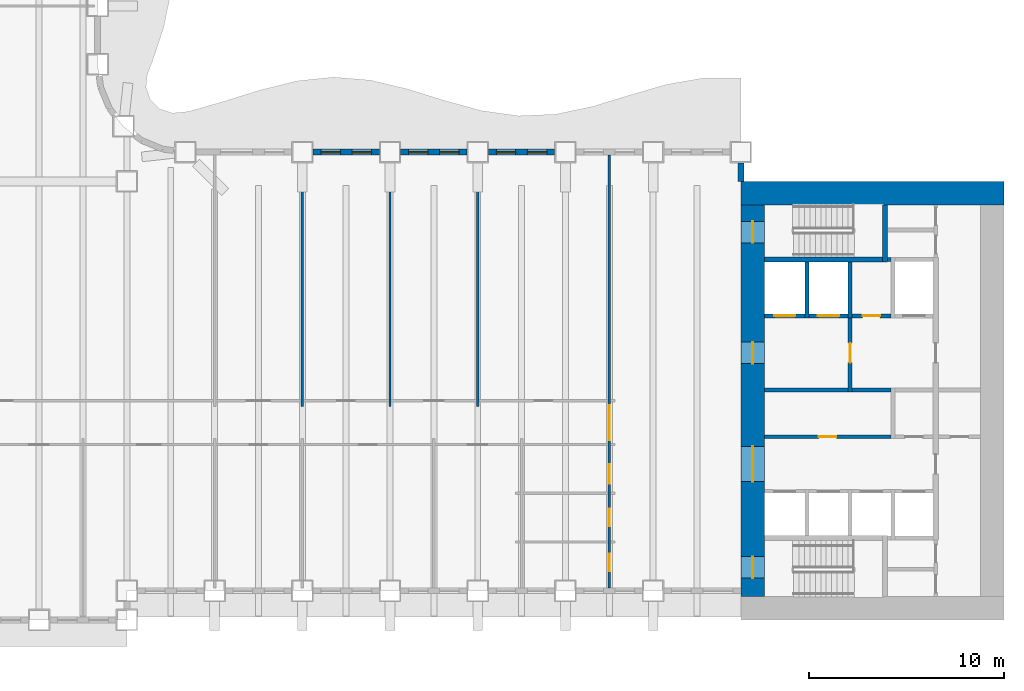
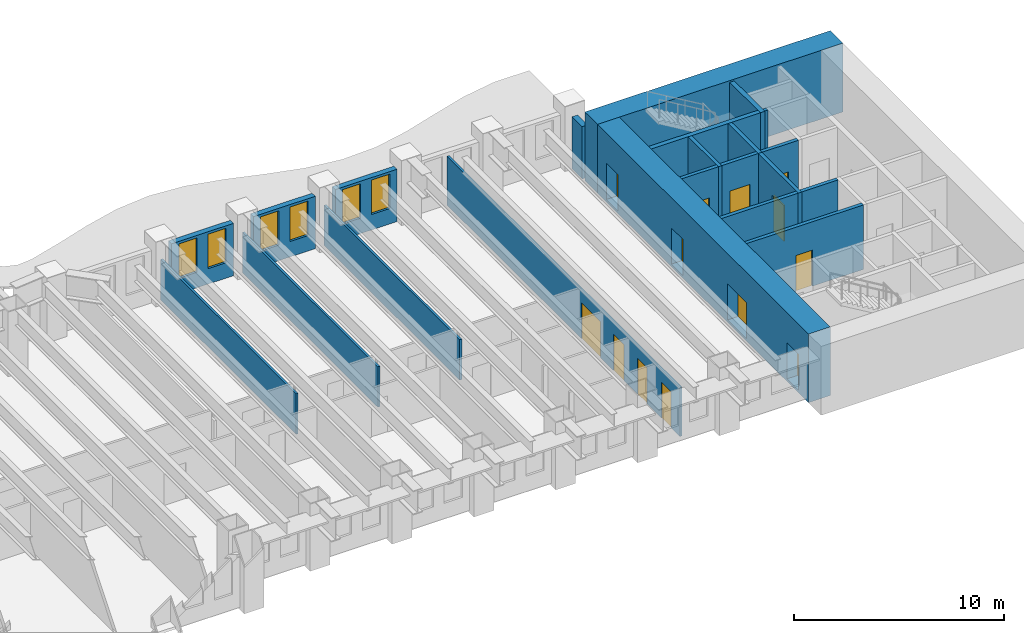
# One storey, part 6 of 16: 22 walls, 13 doors, 6 windows, 19 openings.
"""IFC4 building model written with IfcOpenShell, lengths in metres."""

from ifc_helpers import new_model, si_unit, direction, frame, frame_2d, origin, place, context, subcontext, project, spatial, rectangle, extrude, material, layer, layer_set, type_object, element, fill, save


model = new_model("IFC4")

# Units and contexts
model_context = context("Model", 3, precision=1e-05, world=origin(), true_north=direction((0.0, 1.0)))
body_context = subcontext(model_context, "Body", "Model", "MODEL_VIEW")
ifc_project = project(units=[si_unit("LENGTHUNIT", "METRE"), si_unit("AREAUNIT", "SQUARE_METRE"), si_unit("VOLUMEUNIT", "CUBIC_METRE"), si_unit("PLANEANGLEUNIT", "RADIAN"), si_unit("MASSUNIT", "GRAM", prefix="KILO")], contexts=[model_context])

# Site, building, storey
site_placement = place(None, origin())
site = spatial("IfcSite", under=ifc_project, at=site_placement, CompositionType="ELEMENT")
building_placement = place(site_placement, origin())
building = spatial("IfcBuilding", under=site, at=building_placement, Name="Sennacour Bend Tower", CompositionType="ELEMENT")
storey_placement = place(building_placement, frame((0.0, 0.0, 73.0)))
storey = spatial("IfcBuildingStorey", under=building, at=storey_placement, Name="L16", CompositionType="ELEMENT", Elevation=73.0)

# Wall
ifc_material_1 = material(Name="Concrete C80/95", Category="concrete")
ifc_layer_1 = layer(ifc_material_1, 1.199951171875, Name="Concrete C80/95", Category="concrete")
ifc_layer_set_1 = layer_set([ifc_layer_1], Name="Concrete C80/95")
wall_type_1 = type_object("IfcWallType", Name="Core wall 1200 C80/95", PredefinedType="SHEAR", material=ifc_layer_set_1)
wall_1_placement = place(storey_placement, frame((54.0, 21.89990234375, -0.14990234375), z_axis=(0.0, 0.0, 1.0), x_axis=(1.0, 0.0, 0.0)))
element("IfcWall", 1, at=wall_1_placement, inside=storey, type_object=wall_type_1, Name="Core A wall L16 N", PredefinedType="SHEAR", context=body_context, shape_type="SweptSolid", body=[
    extrude(rectangle(XDim=13.5, YDim=1.199951171875, at=frame_2d((6.75, 0.0))), origin(), (0.0, 0.0, 1.0), 4.0),
])

# Wall, openings, doors
wall_2_placement = place(storey_placement, frame((54.60009765625, 1.199951171875, -0.14990234375), z_axis=(0.0, 0.0, 1.0), x_axis=(0.0, 1.0, 0.0)))
wall_2 = element("IfcWall", 2, at=wall_2_placement, inside=storey, type_object=wall_type_1, Name="Core A wall L16 W", PredefinedType="SHEAR", context=body_context, shape_type="SweptSolid", body=[
    extrude(rectangle(XDim=20.10009765625, YDim=1.199951171875, at=frame_2d((10.050048828125, 0.0))), origin(), (0.0, 0.0, 1.0), 4.0),
])
opening_1_placement = place(wall_2_placement, frame((5.89990234375, 0.0, 0.14990234375)))
opening_1 = element("IfcOpeningElement", 3, at=opening_1_placement, cuts=wall_2, Name="Opening CD", PredefinedType="OPENING", context=body_context, shape_type="SweptSolid", body=[
    extrude(rectangle(XDim=1.800048828125, YDim=2.10009765625, at=frame_2d((0.89990234375, 1.050048828125))), frame((0.0, 0.60986328125, 0.0), z_axis=(0.0, -1.0, 0.0), x_axis=(1.0, 0.0, 0.0)), (0.0, 0.0, 1.0), 1.219970703125),
])
opening_2_placement = place(wall_2_placement, frame((11.949951171875, 0.0, 0.14990234375)))
opening_2 = element("IfcOpeningElement", 4, at=opening_2_placement, cuts=wall_2, Name="Opening FD", PredefinedType="OPENING", context=body_context, shape_type="SweptSolid", body=[
    extrude(rectangle(XDim=1.10009765625, YDim=2.10009765625, at=frame_2d((0.550048828125, 1.050048828125))), frame((0.0, 0.60986328125, 0.0), z_axis=(0.0, -1.0, 0.0), x_axis=(1.0, 0.0, 0.0)), (0.0, 0.0, 1.0), 1.219970703125),
])
opening_3_placement = place(wall_2_placement, frame((0.949951171875, 0.0, 0.14990234375)))
opening_3 = element("IfcOpeningElement", 5, at=opening_3_placement, cuts=wall_2, Name="Opening SD", PredefinedType="OPENING", context=body_context, shape_type="SweptSolid", body=[
    extrude(rectangle(XDim=1.10009765625, YDim=2.10009765625, at=frame_2d((0.550048828125, 1.050048828125))), frame((0.0, 0.60986328125, 0.0), z_axis=(0.0, -1.0, 0.0), x_axis=(1.0, 0.0, 0.0)), (0.0, 0.0, 1.0), 1.219970703125),
])
opening_4_placement = place(wall_2_placement, frame((18.14990234375, 0.0, 0.14990234375)))
opening_4 = element("IfcOpeningElement", 6, at=opening_4_placement, cuts=wall_2, Name="Opening SD", PredefinedType="OPENING", context=body_context, shape_type="SweptSolid", body=[
    extrude(rectangle(XDim=1.10009765625, YDim=2.10009765625, at=frame_2d((0.550048828125, 1.050048828125))), frame((0.0, 0.60986328125, 0.0), z_axis=(0.0, -1.0, 0.0), x_axis=(1.0, 0.0, 0.0)), (0.0, 0.0, 1.0), 1.219970703125),
])
ifc_material_2 = material(Name="Painted steel", Category="steel")
door_type_1 = type_object("IfcDoorType", Name="DR-FFL-1100", OperationType="NOTDEFINED", PredefinedType="DOOR", material=ifc_material_2)
door_1_placement = place(opening_2_placement, origin())
door_1 = element("IfcDoor", 7, at=door_1_placement, inside=storey, type_object=door_type_1, Name="Door", OperationType="SINGLE_SWING_RIGHT", OverallHeight=2.10009765625, OverallWidth=1.10009765625, PredefinedType="DOOR", context=body_context, shape_type="SweptSolid", body=[
    extrude(rectangle(XDim=1.10009765625, YDim=2.10009765625, at=frame_2d((0.550048828125, 1.050048828125))), frame((0.0, 0.02490234375, 0.0), z_axis=(0.0, -1.0, 0.0), x_axis=(1.0, 0.0, 0.0)), (0.0, 0.0, 1.0), 0.050048828125),
])
fill(opening_2, door_1)
door_type_2 = type_object("IfcDoorType", Name="DR-LOBBY-1800", OperationType="NOTDEFINED", PredefinedType="DOOR", material=ifc_material_2)
door_2_placement = place(opening_1_placement, origin())
door_2 = element("IfcDoor", 8, at=door_2_placement, inside=storey, type_object=door_type_2, Name="Door", OperationType="DOUBLE_DOOR_SINGLE_SWING", OverallHeight=2.10009765625, OverallWidth=1.800048828125, PredefinedType="DOOR", context=body_context, shape_type="SweptSolid", body=[
    extrude(rectangle(XDim=1.800048828125, YDim=2.10009765625, at=frame_2d((0.89990234375, 1.050048828125))), frame((0.0, 0.02490234375, 0.0), z_axis=(0.0, -1.0, 0.0), x_axis=(1.0, 0.0, 0.0)), (0.0, 0.0, 1.0), 0.050048828125),
])
fill(opening_1, door_2)
door_type_3 = type_object("IfcDoorType", Name="DR-STAIR-1100", OperationType="NOTDEFINED", PredefinedType="DOOR", material=ifc_material_2)
door_3_placement = place(opening_3_placement, origin())
door_3 = element("IfcDoor", 9, at=door_3_placement, inside=storey, type_object=door_type_3, Name="Door", OperationType="SINGLE_SWING_LEFT", OverallHeight=2.10009765625, OverallWidth=1.10009765625, PredefinedType="DOOR", context=body_context, shape_type="SweptSolid", body=[
    extrude(rectangle(XDim=1.10009765625, YDim=2.10009765625, at=frame_2d((0.550048828125, 1.050048828125))), frame((0.0, 0.02490234375, 0.0), z_axis=(0.0, -1.0, 0.0), x_axis=(1.0, 0.0, 0.0)), (0.0, 0.0, 1.0), 0.050048828125),
])
fill(opening_3, door_3)
door_4_placement = place(opening_4_placement, origin())
door_4 = element("IfcDoor", 10, at=door_4_placement, inside=storey, type_object=door_type_3, Name="Door", OperationType="SINGLE_SWING_RIGHT", OverallHeight=2.10009765625, OverallWidth=1.10009765625, PredefinedType="DOOR", context=body_context, shape_type="SweptSolid", body=[
    extrude(rectangle(XDim=1.10009765625, YDim=2.10009765625, at=frame_2d((0.550048828125, 1.050048828125))), frame((0.0, 0.02490234375, 0.0), z_axis=(0.0, -1.0, 0.0), x_axis=(1.0, 0.0, 0.0)), (0.0, 0.0, 1.0), 0.050048828125),
])
fill(opening_4, door_4)

# Walls
ifc_material_3 = material(Name="Plasterboard partition on steel studs", Category="steel")
ifc_layer_2 = layer(ifc_material_3, 0.1201171875, Name="Plasterboard partition on steel studs", Category="steel")
ifc_layer_set_2 = layer_set([ifc_layer_2], Name="Plasterboard partition on steel studs")
wall_type_2 = type_object("IfcWallType", Name="Partition 120", PredefinedType="PARTITIONING", material=ifc_layer_set_2)
for number, where, z_axis, x_axis, name in (
    (11, (31.5, 10.949951171875, 0.0), (0.0, 0.0, 1.0), (0.0, 1.0, 0.0), "P-L16-W029a"),
    (12, (36.0, 10.949951171875, 0.0), (0.0, 0.0, 1.0), (0.0, 1.0, 0.0), "P-L16-W030a"),
    (13, (40.5, 10.949951171875, 0.0), (0.0, 0.0, 1.0), (0.0, 1.0, 0.0), "P-L16-W032a"),
):
    element("IfcWall", number, at=place(storey_placement, frame(where, z_axis=z_axis, x_axis=x_axis)), inside=storey, type_object=wall_type_2, Name=name, PredefinedType="PARTITIONING", context=body_context, shape_type="SweptSolid", body=[
        extrude(rectangle(XDim=12.900146484375, YDim=0.1201171875, at=frame_2d((6.4501953125, 0.0))), origin(), (0.0, 0.0, 1.0), 2.35009765625),
    ])

# Wall, openings, doors
ifc_layer_3 = layer(ifc_material_3, 0.1201171875, Name="Plasterboard partition on steel studs", Category="steel")
ifc_layer_set_3 = layer_set([ifc_layer_3], Name="Plasterboard partition on steel studs")
wall_type_3 = type_object("IfcWallType", Name="Partition 120 EI 30", PredefinedType="PARTITIONING", material=ifc_layer_set_3)
wall_3_placement = place(storey_placement, frame((47.25, 1.64990234375, 0.0), z_axis=(0.0, 0.0, 1.0), x_axis=(0.0, 1.0, 0.0)))
wall_3 = element("IfcWall", 14, at=wall_3_placement, inside=storey, type_object=wall_type_3, Name="P-L16-W034a", PredefinedType="PARTITIONING", context=body_context, shape_type="SweptSolid", body=[
    extrude(rectangle(XDim=22.2001953125, YDim=0.1201171875, at=frame_2d((11.10009765625, 0.0))), origin(), (0.0, 0.0, 1.0), 2.837890625),
])
opening_5_placement = place(wall_3_placement, frame((7.5751953125, 0.0, 0.0)))
opening_5 = element("IfcOpeningElement", 15, at=opening_5_placement, cuts=wall_3, Name="Opening KD3", PredefinedType="OPENING", context=body_context, shape_type="SweptSolid", body=[
    extrude(rectangle(XDim=1.800048828125, YDim=2.10009765625, at=frame_2d((0.89990234375, 1.050048828125))), frame((0.0, 0.070068359375, 0.0), z_axis=(0.0, -1.0, 0.0), x_axis=(1.0, 0.0, 0.0)), (0.0, 0.0, 1.0), 0.14013671875),
])
opening_6_placement = place(wall_3_placement, frame((0.85009765625, 0.0, 0.0)))
opening_6 = element("IfcOpeningElement", 16, at=opening_6_placement, cuts=wall_3, Name="Opening WD", PredefinedType="OPENING", context=body_context, shape_type="SweptSolid", body=[
    extrude(rectangle(XDim=0.89990234375, YDim=2.10009765625, at=frame_2d((0.449951171875, 1.050048828125))), frame((0.0, 0.070068359375, 0.0), z_axis=(0.0, -1.0, 0.0), x_axis=(1.0, 0.0, 0.0)), (0.0, 0.0, 1.0), 0.14013671875),
])
opening_7_placement = place(wall_3_placement, frame((3.150146484375, 0.0, 0.0)))
opening_7 = element("IfcOpeningElement", 17, at=opening_7_placement, cuts=wall_3, Name="Opening WD", PredefinedType="OPENING", context=body_context, shape_type="SweptSolid", body=[
    extrude(rectangle(XDim=0.89990234375, YDim=2.10009765625, at=frame_2d((0.449951171875, 1.050048828125))), frame((0.0, 0.070068359375, 0.0), z_axis=(0.0, -1.0, 0.0), x_axis=(1.0, 0.0, 0.0)), (0.0, 0.0, 1.0), 0.14013671875),
])
opening_8_placement = place(wall_3_placement, frame((5.35009765625, 0.0, 0.0)))
opening_8 = element("IfcOpeningElement", 18, at=opening_8_placement, cuts=wall_3, Name="Opening AD", PredefinedType="OPENING", context=body_context, shape_type="SweptSolid", body=[
    extrude(rectangle(XDim=1.0, YDim=2.10009765625, at=frame_2d((0.5, 1.050048828125))), frame((0.0, 0.070068359375, 0.0), z_axis=(0.0, -1.0, 0.0), x_axis=(1.0, 0.0, 0.0)), (0.0, 0.0, 1.0), 0.14013671875),
])
ifc_material_4 = material(Name="Timber", Category="wood")
door_type_4 = type_object("IfcDoorType", Name="DR-ACC-WC-1000", OperationType="NOTDEFINED", PredefinedType="DOOR", material=ifc_material_4)
door_5_placement = place(opening_8_placement, origin())
door_5 = element("IfcDoor", 19, at=door_5_placement, inside=storey, type_object=door_type_4, Name="Door", OperationType="SINGLE_SWING_LEFT", OverallHeight=2.10009765625, OverallWidth=1.0, PredefinedType="DOOR", context=body_context, shape_type="SweptSolid", body=[
    extrude(rectangle(XDim=1.0, YDim=2.10009765625, at=frame_2d((0.5, 1.050048828125))), frame((0.0, 0.02490234375, 0.0), z_axis=(0.0, -1.0, 0.0), x_axis=(1.0, 0.0, 0.0)), (0.0, 0.0, 1.0), 0.050048828125),
])
fill(opening_8, door_5)
door_type_5 = type_object("IfcDoorType", Name="DR-CORRIDOR-1800", OperationType="NOTDEFINED", PredefinedType="DOOR", material=ifc_material_2)
door_6_placement = place(opening_5_placement, origin())
door_6 = element("IfcDoor", 20, at=door_6_placement, inside=storey, type_object=door_type_5, Name="Door", OperationType="DOUBLE_DOOR_SINGLE_SWING", OverallHeight=2.10009765625, OverallWidth=1.800048828125, PredefinedType="DOOR", context=body_context, shape_type="SweptSolid", body=[
    extrude(rectangle(XDim=1.800048828125, YDim=2.10009765625, at=frame_2d((0.89990234375, 1.050048828125))), frame((0.0, 0.02490234375, 0.0), z_axis=(0.0, -1.0, 0.0), x_axis=(1.0, 0.0, 0.0)), (0.0, 0.0, 1.0), 0.050048828125),
])
fill(opening_5, door_6)
door_type_6 = type_object("IfcDoorType", Name="DR-WC-900", OperationType="NOTDEFINED", PredefinedType="DOOR", material=ifc_material_4)
door_7_placement = place(opening_6_placement, origin())
door_7 = element("IfcDoor", 21, at=door_7_placement, inside=storey, type_object=door_type_6, Name="Door", OperationType="SINGLE_SWING_LEFT", OverallHeight=2.10009765625, OverallWidth=0.89990234375, PredefinedType="DOOR", context=body_context, shape_type="SweptSolid", body=[
    extrude(rectangle(XDim=0.89990234375, YDim=2.10009765625, at=frame_2d((0.449951171875, 1.050048828125))), frame((0.0, 0.02490234375, 0.0), z_axis=(0.0, -1.0, 0.0), x_axis=(1.0, 0.0, 0.0)), (0.0, 0.0, 1.0), 0.050048828125),
])
fill(opening_6, door_7)
door_8_placement = place(opening_7_placement, origin())
door_8 = element("IfcDoor", 22, at=door_8_placement, inside=storey, type_object=door_type_6, Name="Door", OperationType="SINGLE_SWING_LEFT", OverallHeight=2.10009765625, OverallWidth=0.89990234375, PredefinedType="DOOR", context=body_context, shape_type="SweptSolid", body=[
    extrude(rectangle(XDim=0.89990234375, YDim=2.10009765625, at=frame_2d((0.449951171875, 1.050048828125))), frame((0.0, 0.02490234375, 0.0), z_axis=(0.0, -1.0, 0.0), x_axis=(1.0, 0.0, 0.0)), (0.0, 0.0, 1.0), 0.050048828125),
])
fill(opening_7, door_8)

# Wall, opening, door
ifc_material_5 = material(Name="Fire-rated plasterboard partition on steel studs", Category="steel")
ifc_layer_4 = layer(ifc_material_5, 0.199951171875, Name="Fire-rated plasterboard partition on steel studs", Category="steel")
ifc_layer_set_4 = layer_set([ifc_layer_4], Name="Fire-rated plasterboard partition on steel studs")
wall_type_4 = type_object("IfcWallType", Name="Rated partition 200", PredefinedType="PARTITIONING", material=ifc_layer_set_4)
wall_4_placement = place(storey_placement, frame((55.199951171875, 9.39990234375, 0.0), z_axis=(0.0, 0.0, 1.0), x_axis=(1.0, 0.0, 0.0)))
wall_4 = element("IfcWall", 23, at=wall_4_placement, inside=storey, type_object=wall_type_4, Name="P-L16-W062a", PredefinedType="PARTITIONING", context=body_context, shape_type="SweptSolid", body=[
    extrude(rectangle(XDim=6.5, YDim=0.199951171875, at=frame_2d((3.25, 0.0))), origin(), (0.0, 0.0, 1.0), 3.75),
])
opening_9_placement = place(wall_4_placement, frame((2.800048828125, 0.0, 0.0)))
opening_9 = element("IfcOpeningElement", 24, at=opening_9_placement, cuts=wall_4, Name="Opening SV", PredefinedType="OPENING", context=body_context, shape_type="SweptSolid", body=[
    extrude(rectangle(XDim=0.89990234375, YDim=2.10009765625, at=frame_2d((0.449951171875, 1.050048828125))), frame((0.0, 0.10986328125, 0.0), z_axis=(0.0, -1.0, 0.0), x_axis=(1.0, 0.0, 0.0)), (0.0, 0.0, 1.0), 0.219970703125),
])
door_type_7 = type_object("IfcDoorType", Name="DR-SERVICE-900", OperationType="NOTDEFINED", PredefinedType="DOOR", material=ifc_material_2)
door_9_placement = place(opening_9_placement, origin())
door_9 = element("IfcDoor", 25, at=door_9_placement, inside=storey, type_object=door_type_7, Name="Door", OperationType="SINGLE_SWING_LEFT", OverallHeight=2.10009765625, OverallWidth=0.89990234375, PredefinedType="DOOR", context=body_context, shape_type="SweptSolid", body=[
    extrude(rectangle(XDim=0.89990234375, YDim=2.10009765625, at=frame_2d((0.449951171875, 1.050048828125))), frame((0.0, 0.02490234375, 0.0), z_axis=(0.0, -1.0, 0.0), x_axis=(1.0, 0.0, 0.0)), (0.0, 0.0, 1.0), 0.050048828125),
])
fill(opening_9, door_9)

# Walls
wall_5_placement = place(storey_placement, frame((55.199951171875, 11.800048828125, 0.0), z_axis=(0.0, 0.0, 1.0), x_axis=(1.0, 0.0, 0.0)))
element("IfcWall", 26, at=wall_5_placement, inside=storey, type_object=wall_type_4, Name="P-L16-W064a", PredefinedType="PARTITIONING", context=body_context, shape_type="SweptSolid", body=[
    extrude(rectangle(XDim=4.300048828125, YDim=0.199951171875, at=frame_2d((2.14990234375, 0.0))), origin(), (0.0, 0.0, 1.0), 3.75),
])
wall_6_placement = place(storey_placement, frame((59.699951171875, 11.800048828125, 0.0), z_axis=(0.0, 0.0, 1.0), x_axis=(1.0, 0.0, 0.0)))
element("IfcWall", 27, at=wall_6_placement, inside=storey, type_object=wall_type_4, Name="P-L16-W064b", PredefinedType="PARTITIONING", context=body_context, shape_type="SweptSolid", body=[
    extrude(rectangle(XDim=2.0, YDim=0.199951171875, at=frame_2d((1.0, 0.0))), origin(), (0.0, 0.0, 1.0), 3.75),
])

# Wall, opening, door
wall_7_placement = place(storey_placement, frame((59.699951171875, 15.60009765625, 0.0), z_axis=(0.0, 0.0, 1.0), x_axis=(1.0, 0.0, 0.0)))
wall_7 = element("IfcWall", 28, at=wall_7_placement, inside=storey, type_object=wall_type_4, Name="P-L16-W066", PredefinedType="PARTITIONING", context=body_context, shape_type="SweptSolid", body=[
    extrude(rectangle(XDim=2.0, YDim=0.199951171875, at=frame_2d((1.0, 0.0))), origin(), (0.0, 0.0, 1.0), 3.75),
])
opening_10_placement = place(wall_7_placement, frame((0.550048828125, 0.0, 0.0)))
opening_10 = element("IfcOpeningElement", 29, at=opening_10_placement, cuts=wall_7, Name="Opening SV", PredefinedType="OPENING", context=body_context, shape_type="SweptSolid", body=[
    extrude(rectangle(XDim=0.89990234375, YDim=2.10009765625, at=frame_2d((0.449951171875, 1.050048828125))), frame((0.0, 0.10986328125, 0.0), z_axis=(0.0, -1.0, 0.0), x_axis=(1.0, 0.0, 0.0)), (0.0, 0.0, 1.0), 0.219970703125),
])
door_10_placement = place(opening_10_placement, origin())
door_10 = element("IfcDoor", 30, at=door_10_placement, inside=storey, type_object=door_type_7, Name="Door", OperationType="SINGLE_SWING_RIGHT", OverallHeight=2.10009765625, OverallWidth=0.89990234375, PredefinedType="DOOR", context=body_context, shape_type="SweptSolid", body=[
    extrude(rectangle(XDim=0.89990234375, YDim=2.10009765625, at=frame_2d((0.449951171875, 1.050048828125))), frame((0.0, 0.02490234375, 0.0), z_axis=(0.0, -1.0, 0.0), x_axis=(1.0, 0.0, 0.0)), (0.0, 0.0, 1.0), 0.050048828125),
])
fill(opening_10, door_10)

# Wall
wall_8_placement = place(storey_placement, frame((61.52490234375, 18.5, 0.0), z_axis=(0.0, 0.0, 1.0), x_axis=(1.0, 0.0, 0.0)))
element("IfcWall", 31, at=wall_8_placement, inside=storey, type_object=wall_type_4, Name="P-L16-W069", PredefinedType="PARTITIONING", context=body_context, shape_type="SweptSolid", body=[
    extrude(rectangle(XDim=0.175048828125, YDim=0.199951171875, at=frame_2d((0.08740234375, 0.0))), origin(), (0.0, 0.0, 1.0), 3.75),
])

# Wall, opening, door
ifc_layer_5 = layer(ifc_material_5, 0.199951171875, Name="Fire-rated plasterboard partition on steel studs", Category="steel")
ifc_layer_set_5 = layer_set([ifc_layer_5], Name="Fire-rated plasterboard partition on steel studs")
wall_type_5 = type_object("IfcWallType", Name="Rated partition 200 EI 90", PredefinedType="PARTITIONING", material=ifc_layer_set_5)
wall_9_placement = place(storey_placement, frame((59.60009765625, 11.699951171875, 0.0), z_axis=(0.0, 0.0, 1.0), x_axis=(0.0, 1.0, 0.0)))
wall_9 = element("IfcWall", 32, at=wall_9_placement, inside=storey, type_object=wall_type_5, Name="P-L16-W039", PredefinedType="PARTITIONING", context=body_context, shape_type="SweptSolid", body=[
    extrude(rectangle(XDim=3.800048828125, YDim=0.199951171875, at=frame_2d((1.89990234375, 0.0))), origin(), (0.0, 0.0, 1.0), 3.75),
])
opening_11_placement = place(wall_9_placement, frame((1.5, 0.0, 0.0)))
opening_11 = element("IfcOpeningElement", 33, at=opening_11_placement, cuts=wall_9, Name="Opening FD2", PredefinedType="OPENING", context=body_context, shape_type="SweptSolid", body=[
    extrude(rectangle(XDim=1.0, YDim=2.10009765625, at=frame_2d((0.5, 1.050048828125))), frame((0.0, 0.10986328125, 0.0), z_axis=(0.0, -1.0, 0.0), x_axis=(1.0, 0.0, 0.0)), (0.0, 0.0, 1.0), 0.219970703125),
])
door_type_8 = type_object("IfcDoorType", Name="DR-FFL-1000", OperationType="NOTDEFINED", PredefinedType="DOOR", material=ifc_material_2)
door_11_placement = place(opening_11_placement, origin())
door_11 = element("IfcDoor", 34, at=door_11_placement, inside=storey, type_object=door_type_8, Name="Door", OperationType="SINGLE_SWING_RIGHT", OverallHeight=2.10009765625, OverallWidth=1.0, PredefinedType="DOOR", context=body_context, shape_type="SweptSolid", body=[
    extrude(rectangle(XDim=1.0, YDim=2.10009765625, at=frame_2d((0.5, 1.050048828125))), frame((0.0, 0.02490234375, 0.0), z_axis=(0.0, -1.0, 0.0), x_axis=(1.0, 0.0, 0.0)), (0.0, 0.0, 1.0), 0.050048828125),
])
fill(opening_11, door_11)

# Wall
ifc_material_6 = material(Name="Warm limestone cladding", Category="masonry")
ifc_layer_6 = layer(ifc_material_6, 0.050048828125, Name="Warm limestone cladding", Category="masonry")
ifc_material_7 = material(Name="Precast concrete C40/50", Category="concrete")
ifc_layer_7 = layer(ifc_material_7, 0.25, Name="Precast concrete C40/50", Category="concrete")
ifc_layer_set_6 = layer_set([ifc_layer_6, ifc_layer_7], Name="Precast concrete C40/50 with limestone cladding")
wall_type_6 = type_object("IfcWallType", Name="STONE-CLAD PRECAST SPANDREL 300", PredefinedType="STANDARD", material=ifc_layer_set_6)
wall_10_placement = place(storey_placement, frame((54.0, 22.5, 0.0), z_axis=(0.0, 0.0, 1.0), x_axis=(0.0, 1.0, 0.0)))
element("IfcWall", 35, at=wall_10_placement, inside=storey, type_object=wall_type_6, Name="Stone spandrel and pier wall L16 07.00", PredefinedType="STANDARD", context=body_context, shape_type="SweptSolid", body=[
    extrude(rectangle(XDim=0.949951171875, YDim=0.300048828125, at=frame_2d((0.47509765625, 0.0))), origin(), (0.0, 0.0, 1.0), 3.0439453125),
])

# Wall, openings, windows
wall_11_placement = place(storey_placement, frame((44.449951171875, 24.0, 0.0), z_axis=(0.0, 0.0, 1.0), x_axis=(-1.0, 0.0, 0.0)))
wall_11 = element("IfcWall", 36, at=wall_11_placement, inside=storey, type_object=wall_type_6, Name="Stone spandrel and pier wall L16 08.02", PredefinedType="STANDARD", context=body_context, shape_type="SweptSolid", body=[
    extrude(rectangle(XDim=3.39990234375, YDim=0.300048828125, at=frame_2d((1.699951171875, 0.0))), origin(), (0.0, 0.0, 1.0), 3.0439453125),
])
opening_12_placement = place(wall_11_placement, frame((0.39990234375, 0.0, 0.89990234375)))
opening_12 = element("IfcOpeningElement", 37, at=opening_12_placement, cuts=wall_11, Name="Opening W8", PredefinedType="OPENING", context=body_context, shape_type="SweptSolid", body=[
    extrude(rectangle(XDim=1.0, YDim=2.0, at=frame_2d((0.5, 1.0))), frame((0.0, 0.16015625, 0.0), z_axis=(0.0, -1.0, 0.0), x_axis=(1.0, 0.0, 0.0)), (0.0, 0.0, 1.0), 0.320068359375),
])
opening_13_placement = place(wall_11_placement, frame((2.0, 0.0, 0.89990234375)))
opening_13 = element("IfcOpeningElement", 38, at=opening_13_placement, cuts=wall_11, Name="Opening W8", PredefinedType="OPENING", context=body_context, shape_type="SweptSolid", body=[
    extrude(rectangle(XDim=1.0, YDim=2.0, at=frame_2d((0.5, 1.0))), frame((0.0, 0.16015625, 0.0), z_axis=(0.0, -1.0, 0.0), x_axis=(1.0, 0.0, 0.0)), (0.0, 0.0, 1.0), 0.320068359375),
])
ifc_material_8 = material(Name="Clear low-emissivity glass", Category="glass")
window_type = type_object("IfcWindowType", Name="WIN-RIBBON-1000x2000", PartitioningType="SINGLE_PANEL", PredefinedType="WINDOW", material=ifc_material_8)
window_1_placement = place(opening_12_placement, origin())
window_1 = element("IfcWindow", 39, at=window_1_placement, inside=storey, type_object=window_type, Name="Ribbon window L16 08.02.0", OverallHeight=2.0, OverallWidth=1.0, PartitioningType="SINGLE_PANEL", PredefinedType="WINDOW", context=body_context, shape_type="SweptSolid", body=[
    extrude(rectangle(XDim=1.0, YDim=2.0, at=frame_2d((0.5, 1.0))), frame((0.0, 0.030029296875, 0.0), z_axis=(0.0, -1.0, 0.0), x_axis=(1.0, 0.0, 0.0)), (0.0, 0.0, 1.0), 0.06005859375),
])
fill(opening_12, window_1)
window_2_placement = place(opening_13_placement, origin())
window_2 = element("IfcWindow", 40, at=window_2_placement, inside=storey, type_object=window_type, Name="Ribbon window L16 08.02.1", OverallHeight=2.0, OverallWidth=1.0, PartitioningType="SINGLE_PANEL", PredefinedType="WINDOW", context=body_context, shape_type="SweptSolid", body=[
    extrude(rectangle(XDim=1.0, YDim=2.0, at=frame_2d((0.5, 1.0))), frame((0.0, 0.030029296875, 0.0), z_axis=(0.0, -1.0, 0.0), x_axis=(1.0, 0.0, 0.0)), (0.0, 0.0, 1.0), 0.06005859375),
])
fill(opening_13, window_2)

wall_12_placement = place(storey_placement, frame((39.949951171875, 24.0, 0.0), z_axis=(0.0, 0.0, 1.0), x_axis=(-1.0, 0.0, 0.0)))
wall_12 = element("IfcWall", 41, at=wall_12_placement, inside=storey, type_object=wall_type_6, Name="Stone spandrel and pier wall L16 08.03", PredefinedType="STANDARD", context=body_context, shape_type="SweptSolid", body=[
    extrude(rectangle(XDim=3.39990234375, YDim=0.300048828125, at=frame_2d((1.699951171875, 0.0))), origin(), (0.0, 0.0, 1.0), 3.0439453125),
])
opening_14_placement = place(wall_12_placement, frame((0.39990234375, 0.0, 0.89990234375)))
opening_14 = element("IfcOpeningElement", 42, at=opening_14_placement, cuts=wall_12, Name="Opening W8", PredefinedType="OPENING", context=body_context, shape_type="SweptSolid", body=[
    extrude(rectangle(XDim=1.0, YDim=2.0, at=frame_2d((0.5, 1.0))), frame((0.0, 0.16015625, 0.0), z_axis=(0.0, -1.0, 0.0), x_axis=(1.0, 0.0, 0.0)), (0.0, 0.0, 1.0), 0.320068359375),
])
opening_15_placement = place(wall_12_placement, frame((2.0, 0.0, 0.89990234375)))
opening_15 = element("IfcOpeningElement", 43, at=opening_15_placement, cuts=wall_12, Name="Opening W8", PredefinedType="OPENING", context=body_context, shape_type="SweptSolid", body=[
    extrude(rectangle(XDim=1.0, YDim=2.0, at=frame_2d((0.5, 1.0))), frame((0.0, 0.16015625, 0.0), z_axis=(0.0, -1.0, 0.0), x_axis=(1.0, 0.0, 0.0)), (0.0, 0.0, 1.0), 0.320068359375),
])
window_3_placement = place(opening_14_placement, origin())
window_3 = element("IfcWindow", 44, at=window_3_placement, inside=storey, type_object=window_type, Name="Ribbon window L16 08.03.0", OverallHeight=2.0, OverallWidth=1.0, PartitioningType="SINGLE_PANEL", PredefinedType="WINDOW", context=body_context, shape_type="SweptSolid", body=[
    extrude(rectangle(XDim=1.0, YDim=2.0, at=frame_2d((0.5, 1.0))), frame((0.0, 0.030029296875, 0.0), z_axis=(0.0, -1.0, 0.0), x_axis=(1.0, 0.0, 0.0)), (0.0, 0.0, 1.0), 0.06005859375),
])
fill(opening_14, window_3)
window_4_placement = place(opening_15_placement, origin())
window_4 = element("IfcWindow", 45, at=window_4_placement, inside=storey, type_object=window_type, Name="Ribbon window L16 08.03.1", OverallHeight=2.0, OverallWidth=1.0, PartitioningType="SINGLE_PANEL", PredefinedType="WINDOW", context=body_context, shape_type="SweptSolid", body=[
    extrude(rectangle(XDim=1.0, YDim=2.0, at=frame_2d((0.5, 1.0))), frame((0.0, 0.030029296875, 0.0), z_axis=(0.0, -1.0, 0.0), x_axis=(1.0, 0.0, 0.0)), (0.0, 0.0, 1.0), 0.06005859375),
])
fill(opening_15, window_4)

wall_13_placement = place(storey_placement, frame((35.449951171875, 24.0, 0.0), z_axis=(0.0, 0.0, 1.0), x_axis=(-1.0, 0.0, 0.0)))
wall_13 = element("IfcWall", 46, at=wall_13_placement, inside=storey, type_object=wall_type_6, Name="Stone spandrel and pier wall L16 08.04", PredefinedType="STANDARD", context=body_context, shape_type="SweptSolid", body=[
    extrude(rectangle(XDim=3.39990234375, YDim=0.300048828125, at=frame_2d((1.699951171875, 0.0))), origin(), (0.0, 0.0, 1.0), 3.0439453125),
])
opening_16_placement = place(wall_13_placement, frame((0.39990234375, 0.0, 0.89990234375)))
opening_16 = element("IfcOpeningElement", 47, at=opening_16_placement, cuts=wall_13, Name="Opening W8", PredefinedType="OPENING", context=body_context, shape_type="SweptSolid", body=[
    extrude(rectangle(XDim=1.0, YDim=2.0, at=frame_2d((0.5, 1.0))), frame((0.0, 0.16015625, 0.0), z_axis=(0.0, -1.0, 0.0), x_axis=(1.0, 0.0, 0.0)), (0.0, 0.0, 1.0), 0.320068359375),
])
opening_17_placement = place(wall_13_placement, frame((2.0, 0.0, 0.89990234375)))
opening_17 = element("IfcOpeningElement", 48, at=opening_17_placement, cuts=wall_13, Name="Opening W8", PredefinedType="OPENING", context=body_context, shape_type="SweptSolid", body=[
    extrude(rectangle(XDim=1.0, YDim=2.0, at=frame_2d((0.5, 1.0))), frame((0.0, 0.16015625, 0.0), z_axis=(0.0, -1.0, 0.0), x_axis=(1.0, 0.0, 0.0)), (0.0, 0.0, 1.0), 0.320068359375),
])
window_5_placement = place(opening_16_placement, origin())
window_5 = element("IfcWindow", 49, at=window_5_placement, inside=storey, type_object=window_type, Name="Ribbon window L16 08.04.0", OverallHeight=2.0, OverallWidth=1.0, PartitioningType="SINGLE_PANEL", PredefinedType="WINDOW", context=body_context, shape_type="SweptSolid", body=[
    extrude(rectangle(XDim=1.0, YDim=2.0, at=frame_2d((0.5, 1.0))), frame((0.0, 0.030029296875, 0.0), z_axis=(0.0, -1.0, 0.0), x_axis=(1.0, 0.0, 0.0)), (0.0, 0.0, 1.0), 0.06005859375),
])
fill(opening_16, window_5)
window_6_placement = place(opening_17_placement, origin())
window_6 = element("IfcWindow", 50, at=window_6_placement, inside=storey, type_object=window_type, Name="Ribbon window L16 08.04.1", OverallHeight=2.0, OverallWidth=1.0, PartitioningType="SINGLE_PANEL", PredefinedType="WINDOW", context=body_context, shape_type="SweptSolid", body=[
    extrude(rectangle(XDim=1.0, YDim=2.0, at=frame_2d((0.5, 1.0))), frame((0.0, 0.030029296875, 0.0), z_axis=(0.0, -1.0, 0.0), x_axis=(1.0, 0.0, 0.0)), (0.0, 0.0, 1.0), 0.06005859375),
])
fill(opening_17, window_6)

# Walls
ifc_material_9 = material(Name="Concrete C50/60", Category="concrete")
ifc_layer_8 = layer(ifc_material_9, 0.199951171875, Name="Concrete C50/60", Category="concrete")
ifc_layer_set_7 = layer_set([ifc_layer_8], Name="Concrete C50/60")
wall_type_7 = type_object("IfcWallType", Name="Shaft wall 200", PredefinedType="SOLIDWALL", material=ifc_layer_set_7)
for number, where, z_axis, x_axis, name in (
    (51, (57.39990234375, 15.5, 0.0), (0.0, 0.0, 1.0), (0.0, 1.0, 0.0), "P-L16-W037"),
    (52, (59.60009765625, 15.5, 0.0), (0.0, 0.0, 1.0), (0.0, 1.0, 0.0), "P-L16-W040"),
):
    element("IfcWall", number, at=place(storey_placement, frame(where, z_axis=z_axis, x_axis=x_axis)), inside=storey, type_object=wall_type_7, Name=name, PredefinedType="SOLIDWALL", context=body_context, shape_type="SweptSolid", body=[
        extrude(rectangle(XDim=2.875, YDim=0.199951171875, at=frame_2d((1.4375, 0.0))), origin(), (0.0, 0.0, 1.0), 3.75),
    ])

# Wall, opening, door
wall_14_placement = place(storey_placement, frame((55.199951171875, 15.60009765625, 0.0), z_axis=(0.0, 0.0, 1.0), x_axis=(1.0, 0.0, 0.0)))
wall_14 = element("IfcWall", 53, at=wall_14_placement, inside=storey, type_object=wall_type_7, Name="P-L16-W065a", PredefinedType="SOLIDWALL", context=body_context, shape_type="SweptSolid", body=[
    extrude(rectangle(XDim=2.10009765625, YDim=0.199951171875, at=frame_2d((1.050048828125, 0.0))), origin(), (0.0, 0.0, 1.0), 3.75),
])
opening_18_placement = place(wall_14_placement, frame((0.5, 0.0, 0.011962890625)))
opening_18 = element("IfcOpeningElement", 54, at=opening_18_placement, cuts=wall_14, Name="Opening FLD", PredefinedType="OPENING", context=body_context, shape_type="SweptSolid", body=[
    extrude(rectangle(XDim=1.10009765625, YDim=2.10009765625, at=frame_2d((0.550048828125, 1.050048828125))), frame((0.0, 0.10986328125, 0.0), z_axis=(0.0, -1.0, 0.0), x_axis=(1.0, 0.0, 0.0)), (0.0, 0.0, 1.0), 0.219970703125),
])
ifc_material_10 = material(Name="Stainless steel", Category="steel")
door_type_9 = type_object("IfcDoorType", Name="DR-FF-LANDING-1100", OperationType="NOTDEFINED", PredefinedType="DOOR", material=ifc_material_10)
door_12_placement = place(opening_18_placement, origin())
door_12 = element("IfcDoor", 55, at=door_12_placement, inside=storey, type_object=door_type_9, Name="Fire service lift landing door FA1", OperationType="SLIDING_TO_LEFT", OverallHeight=2.10009765625, OverallWidth=1.10009765625, PredefinedType="DOOR", context=body_context, shape_type="SweptSolid", body=[
    extrude(rectangle(XDim=1.10009765625, YDim=2.10009765625, at=frame_2d((0.550048828125, 1.050048828125))), frame((0.0, 0.02490234375, 0.0), z_axis=(0.0, -1.0, 0.0), x_axis=(1.0, 0.0, 0.0)), (0.0, 0.0, 1.0), 0.050048828125),
])
fill(opening_18, door_12)

wall_15_placement = place(storey_placement, frame((57.5, 15.60009765625, 0.0), z_axis=(0.0, 0.0, 1.0), x_axis=(1.0, 0.0, 0.0)))
wall_15 = element("IfcWall", 56, at=wall_15_placement, inside=storey, type_object=wall_type_7, Name="P-L16-W065b", PredefinedType="SOLIDWALL", context=body_context, shape_type="SweptSolid", body=[
    extrude(rectangle(XDim=2.0, YDim=0.199951171875, at=frame_2d((1.0, 0.0))), origin(), (0.0, 0.0, 1.0), 3.75),
])
opening_19_placement = place(wall_15_placement, frame((0.449951171875, 0.0, 0.011962890625)))
opening_19 = element("IfcOpeningElement", 57, at=opening_19_placement, cuts=wall_15, Name="Opening FLD", PredefinedType="OPENING", context=body_context, shape_type="SweptSolid", body=[
    extrude(rectangle(XDim=1.10009765625, YDim=2.10009765625, at=frame_2d((0.550048828125, 1.050048828125))), frame((0.0, 0.10986328125, 0.0), z_axis=(0.0, -1.0, 0.0), x_axis=(1.0, 0.0, 0.0)), (0.0, 0.0, 1.0), 0.219970703125),
])
door_13_placement = place(opening_19_placement, origin())
door_13 = element("IfcDoor", 58, at=door_13_placement, inside=storey, type_object=door_type_9, Name="Fire service lift landing door FA2", OperationType="SLIDING_TO_RIGHT", OverallHeight=2.10009765625, OverallWidth=1.10009765625, PredefinedType="DOOR", context=body_context, shape_type="SweptSolid", body=[
    extrude(rectangle(XDim=1.10009765625, YDim=2.10009765625, at=frame_2d((0.550048828125, 1.050048828125))), frame((0.0, 0.02490234375, 0.0), z_axis=(0.0, -1.0, 0.0), x_axis=(1.0, 0.0, 0.0)), (0.0, 0.0, 1.0), 0.050048828125),
])
fill(opening_19, door_13)

# Walls
ifc_material_11 = material(Name="Concrete C60/75", Category="concrete")
ifc_layer_9 = layer(ifc_material_11, 0.25, Name="Concrete C60/75", Category="concrete")
ifc_layer_set_8 = layer_set([ifc_layer_9], Name="Concrete C60/75")
wall_type_8 = type_object("IfcWallType", Name="Stair wall 250", PredefinedType="SHEAR", material=ifc_layer_set_8)
wall_16_placement = place(storey_placement, frame((61.39990234375, 18.375, 0.0), z_axis=(0.0, 0.0, 1.0), x_axis=(0.0, 1.0, 0.0)))
element("IfcWall", 59, at=wall_16_placement, inside=storey, type_object=wall_type_8, Name="P-L16-W042", PredefinedType="SHEAR", context=body_context, shape_type="SweptSolid", body=[
    extrude(rectangle(XDim=2.925048828125, YDim=0.25, at=frame_2d((1.46240234375, 0.0))), origin(), (0.0, 0.0, 1.0), 3.75),
])
wall_17_placement = place(storey_placement, frame((55.199951171875, 18.5, 0.0), z_axis=(0.0, 0.0, 1.0), x_axis=(1.0, 0.0, 0.0)))
element("IfcWall", 60, at=wall_17_placement, inside=storey, type_object=wall_type_8, Name="P-L16-W068", PredefinedType="SHEAR", context=body_context, shape_type="SweptSolid", body=[
    extrude(rectangle(XDim=6.074951171875, YDim=0.25, at=frame_2d((3.03759765625, 0.0))), origin(), (0.0, 0.0, 1.0), 3.75),
])

save(model, "model.ifc")
